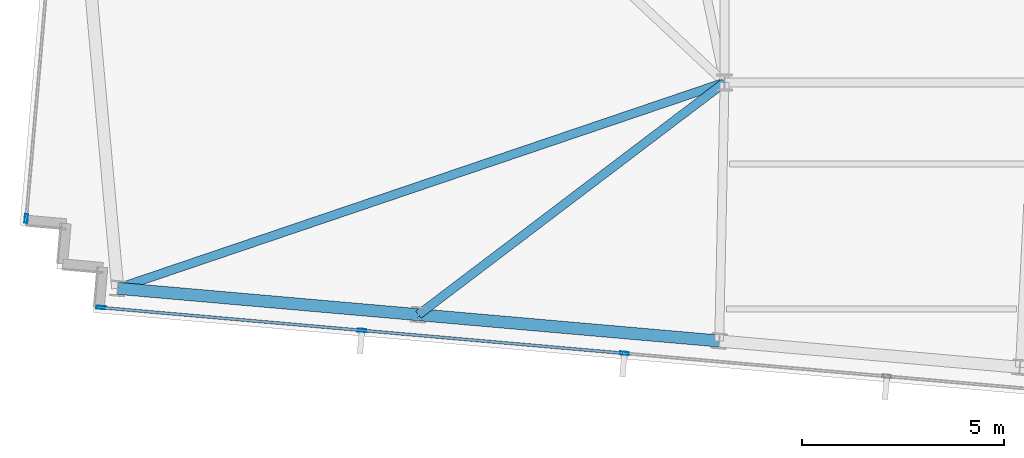
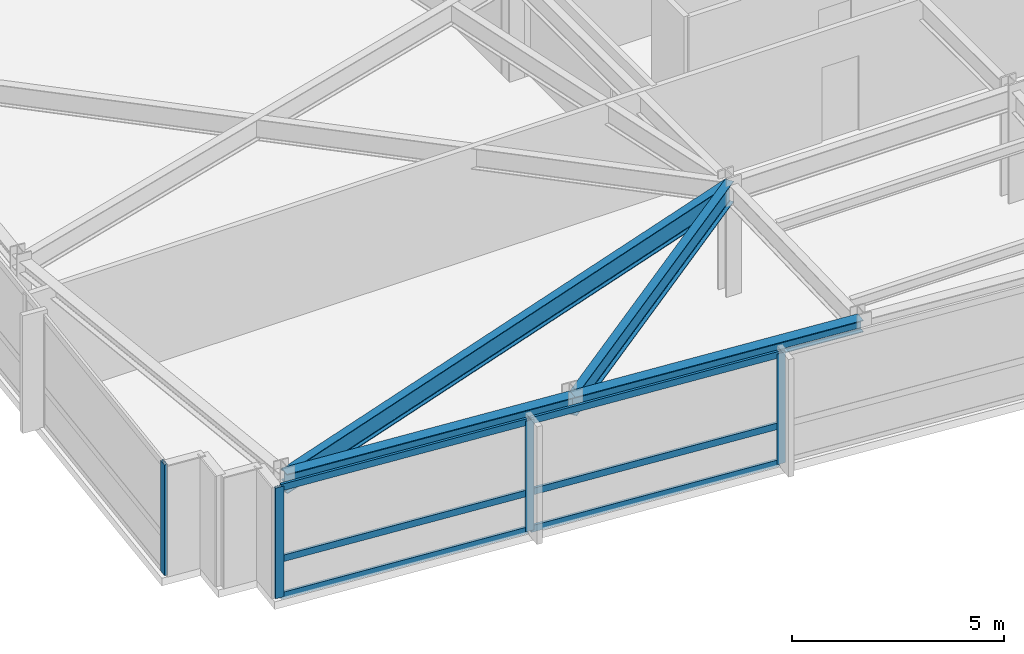
# One storey, part 2 of 24: 10 members, 4 beams, 2 elements without a shape of their own.
"""IFC4 building model written with IfcOpenShell, lengths in metres."""

import ifcopenshell
import ifcopenshell.guid

model = None  # the IFC model being written
_history = None  # IfcOwnerHistory: only IFC2X3 demands one
_inside = {}  # id of a spatial element -> (the spatial element, [elements in it])
_under = {}  # id of a project, library or spatial element -> (it, [spatial elements below it])
_declared = {}  # id of a project -> (the project, [libraries it declares])
_typed = {}  # id of a type object -> (the type object, [elements of that type])
_made_of = {}  # id of a material, layer set ... -> (it, [elements and type objects made of it])


def new_model(schema):
    """Start an empty IFC model of exactly this schema.

    Asked for "IFC4X3", IfcOpenShell would pick the latest addendum, in which some entities
    have other attributes; the version numbers below select the first issue.
    IFC2X3 requires an IfcOwnerHistory on every rooted entity: one is made here for all.
    """
    global model, _history
    if schema == "IFC4X3":
        model = ifcopenshell.file(schema_version=(4, 3, 0, 0))
    else:
        model = ifcopenshell.file(schema=schema)
    _inside.clear()
    _under.clear()
    _declared.clear()
    _typed.clear()
    _made_of.clear()
    _history = None
    if model.schema == "IFC2X3":
        org = make("IfcOrganization", Name="unknown")
        user = make(
            "IfcPersonAndOrganization",
            ThePerson=make("IfcPerson", FamilyName="unknown"),
            TheOrganization=org,
        )
        app = make(
            "IfcApplication",
            ApplicationDeveloper=org,
            Version="unknown",
            ApplicationFullName="unknown",
            ApplicationIdentifier="unknown",
        )
        _history = make(
            "IfcOwnerHistory",
            OwningUser=user,
            OwningApplication=app,
            ChangeAction="ADDED",
            CreationDate=0,
        )
    return model


def make(cls, **values):
    """One entity of the class cls with the attributes given. An attribute that is None is left unset."""
    return model.create_entity(
        cls, **{name: value for name, value in values.items() if value is not None}
    )


def rooted(cls, **values):
    """An entity with a GlobalId (a new one), such as an element, a storey or a relation."""
    return make(cls, GlobalId=ifcopenshell.guid.new(), OwnerHistory=_history, **values)


def si_unit(unit_type, name, prefix=None):
    """IfcSIUnit, for example si_unit("LENGTHUNIT", "METRE", prefix="MILLI")."""
    return make("IfcSIUnit", UnitType=unit_type, Prefix=prefix, Name=name)


def assignment(units):
    """IfcUnitAssignment: the units of a project."""
    return None if units is None else make("IfcUnitAssignment", Units=units)


def point(xyz):
    """IfcCartesianPoint."""
    return None if xyz is None else make("IfcCartesianPoint", Coordinates=xyz)


def direction(xyz):
    """IfcDirection."""
    return None if xyz is None else make("IfcDirection", DirectionRatios=xyz)


def frame(location, z_axis=None, x_axis=None):
    """IfcAxis2Placement3D, a coordinate frame: its origin and axes. An axis left out is left unset."""
    return make(
        "IfcAxis2Placement3D",
        Location=point(location),
        Axis=direction(z_axis),
        RefDirection=direction(x_axis),
    )


def frame_2d(location, x_axis=None):
    """IfcAxis2Placement2D, a coordinate frame in the plane: its origin and x axis."""
    return make(
        "IfcAxis2Placement2D", Location=point(location), RefDirection=direction(x_axis)
    )


def origin():
    """The frame at (0, 0, 0) with its axes left unset."""
    return frame((0.0, 0.0, 0.0))


def origin_2d():
    """The frame at (0, 0) in the plane with its x axis left unset."""
    return frame_2d((0.0, 0.0))


def place(relative_to, where):
    """IfcLocalPlacement: puts the frame where relative to a parent placement (None: the world)."""
    return make(
        "IfcLocalPlacement", PlacementRelTo=relative_to, RelativePlacement=where
    )


def context(
    kind, dimensions, precision=None, world=None, true_north=None, identifier=None
):
    """IfcGeometricRepresentationContext, for example the 3D "Model" context."""
    return make(
        "IfcGeometricRepresentationContext",
        ContextIdentifier=identifier,
        ContextType=kind,
        CoordinateSpaceDimension=dimensions,
        Precision=precision,
        WorldCoordinateSystem=world,
        TrueNorth=true_north,
    )


def subcontext(parent, identifier, kind, view, scale=None):
    """IfcGeometricRepresentationSubContext, for example "Body" below "Model"."""
    return make(
        "IfcGeometricRepresentationSubContext",
        ContextIdentifier=identifier,
        ContextType=kind,
        ParentContext=parent,
        TargetScale=scale,
        TargetView=view,
    )


def project(units=None, contexts=None):
    """IfcProject with its units and contexts."""
    return rooted(
        "IfcProject",
        Name="project",
        RepresentationContexts=contexts,
        UnitsInContext=assignment(units),
    )


def spatial(cls, under=None, at=None, **own):
    """A site, building, storey or space (cls), placed at a placement, below another one or the project."""
    s = rooted(cls, ObjectPlacement=at, **own)
    if under is not None:
        _under.setdefault(under.id(), (under, []))[1].append(s)
    return s


def profile(cls, at=None, kind="AREA", **sizes):
    """A parametric profile (cls). Its sizes go by their IFC names, for example OverallWidth=200.0."""
    return make(cls, ProfileType=kind, Position=at, **sizes)


def hollow_rectangle(**sizes):
    """IfcRectangleHollowProfileDef."""
    return profile("IfcRectangleHollowProfileDef", **sizes)


def i_section(**sizes):
    """IfcIShapeProfileDef."""
    return profile("IfcIShapeProfileDef", **sizes)


def extrude(swept, where, along, depth):
    """IfcExtrudedAreaSolid: the profile swept, set in the frame where, extruded along a direction by depth."""
    return make(
        "IfcExtrudedAreaSolid",
        SweptArea=swept,
        Position=where,
        ExtrudedDirection=direction(along),
        Depth=depth,
    )


def shape(context_of_items, identifier, shape_type, items):
    """IfcShapeRepresentation: the items that make up one representation, for example the "Body"."""
    return make(
        "IfcShapeRepresentation",
        ContextOfItems=context_of_items,
        RepresentationIdentifier=identifier,
        RepresentationType=shape_type,
        Items=items,
    )


def material(Name=None, Category=None):
    """IfcMaterial."""
    return make("IfcMaterial", Name=Name, Category=Category)


def material_profile(
    of_material, cross_section, Name=None, Category=None, Priority=None
):
    """IfcMaterialProfile: a cross section and its material."""
    return make(
        "IfcMaterialProfile",
        Name=Name,
        Material=of_material,
        Profile=cross_section,
        Priority=Priority,
        Category=Category,
    )


def profile_set(profiles, Name=None, composite=None):
    """IfcMaterialProfileSet."""
    return make(
        "IfcMaterialProfileSet",
        Name=Name,
        MaterialProfiles=profiles,
        CompositeProfile=composite,
    )


def made_of(thing, what):
    """Note that an element or type object is made of a material, layer set ...; save() writes the relation."""
    if what is not None:
        _made_of.setdefault(what.id(), (what, []))[1].append(thing)
    return thing


def type_object(cls, material=None, **own):
    """A type object (cls), such as IfcWallType, which elements share."""
    return made_of(rooted(cls, **own), material)


def element(
    cls,
    number,
    at=None,
    inside=None,
    cuts=None,
    type_object=None,
    material=None,
    context=None,
    identifier="Body",
    shape_type=None,
    held_by="IfcProductDefinitionShape",
    body=None,
    shapes=None,
    **own,
):
    """One element of the class cls, such as IfcWall. Its Tag is "e" and its number.

    at: its placement. inside: the storey or other place that contains it. cuts: it is an
    opening in that element (IfcRelVoidsElement). A single representation is given by context,
    identifier, shape_type and body (its items); several are given by shapes. held_by: the class
    of the entity that holds the representations. save() writes the other relations.
    """
    e = rooted(cls, Tag="e%d" % number, ObjectPlacement=at, **own)
    if body is not None:
        shapes = [shape(context, identifier, shape_type, body)]
    if shapes is not None:
        e.Representation = make(held_by, Representations=shapes)
    if inside is not None:
        _inside.setdefault(inside.id(), (inside, []))[1].append(e)
    if cuts is not None:
        rooted(
            "IfcRelVoidsElement", RelatingBuildingElement=cuts, RelatedOpeningElement=e
        )
    if type_object is not None:
        _typed.setdefault(type_object.id(), (type_object, []))[1].append(e)
    return made_of(e, material)


def aggregate(whole, parts):
    """IfcRelAggregates: a whole, such as a stair, and the parts it consists of."""
    return rooted("IfcRelAggregates", RelatingObject=whole, RelatedObjects=parts)


def save(model, path):
    """Write the relations noted so far, then the file.

    IfcRelAggregates (storeys below a building ...), IfcRelContainedInSpatialStructure (elements
    in a storey), IfcRelDefinesByType, IfcRelAssociatesMaterial and IfcRelDeclares: one each for
    every whole, place, type object, material and project.
    """
    for whole, parts in _under.values():
        aggregate(whole, parts)
    for where, things in _inside.values():
        rooted(
            "IfcRelContainedInSpatialStructure",
            RelatedElements=things,
            RelatingStructure=where,
        )
    for kind, things in _typed.values():
        rooted("IfcRelDefinesByType", RelatedObjects=things, RelatingType=kind)
    for what, things in _made_of.values():
        rooted("IfcRelAssociatesMaterial", RelatedObjects=things, RelatingMaterial=what)
    for by, libraries in _declared.values():
        rooted("IfcRelDeclares", RelatingContext=by, RelatedDefinitions=libraries)
    model.write(path)


model = new_model("IFC4")

# Units and contexts
model_context = context("Model", 3, precision=1e-05, world=origin(), true_north=direction((0.0, 1.0)))
body_context = subcontext(model_context, "Body", "Model", "MODEL_VIEW")
ifc_project = project(units=[si_unit("LENGTHUNIT", "METRE"), si_unit("AREAUNIT", "SQUARE_METRE"), si_unit("VOLUMEUNIT", "CUBIC_METRE"), si_unit("PLANEANGLEUNIT", "RADIAN"), si_unit("MASSUNIT", "GRAM", prefix="KILO")], contexts=[model_context])

# Site, building, storey
site_placement = place(None, origin())
site = spatial("IfcSite", under=ifc_project, at=site_placement, CompositionType="ELEMENT")
building_placement = place(site_placement, origin())
building = spatial("IfcBuilding", under=site, at=building_placement, Name="Yelkora Congress Tower", CompositionType="ELEMENT")
storey_placement = place(building_placement, frame((0.0, 0.0, 296.5)))
storey = spatial("IfcBuildingStorey", under=building, at=storey_placement, Name="L83", CompositionType="ELEMENT", Elevation=296.5)

# Beams
ifc_material_1 = material(Name="Steel S355J2", Category="steel")
ifc_material_profile_1 = material_profile(ifc_material_1, i_section(OverallWidth=0.219970703125, OverallDepth=0.60009765625, WebThickness=0.011962890625, FlangeThickness=0.01904296875, FilletRadius=0.02392578125, at=origin_2d()), Name="IPE 600")
ifc_profile_set_1 = profile_set([ifc_material_profile_1], Name="Steel S355J2")
beam_type_1 = type_object("IfcBeamType", Name="BM-GIRD-IPE600", PredefinedType="BEAM", material=ifc_profile_set_1)
beam_1_placement = place(storey_placement, frame((7.998046875, 20.097900390625, 2.8798828125), z_axis=(0.947007090502, 0.321212656257, 0.0), x_axis=(-0.321212656257, 0.947007090502, 0.0)))
element("IfcBeam", 1, at=beam_1_placement, inside=storey, type_object=beam_type_1, Name="L83 Primary Frame Girder S01", PredefinedType="BEAM", context=body_context, shape_type="SweptSolid", body=[
    extrude(i_section(OverallWidth=0.219970703125, OverallDepth=0.60009765625, WebThickness=0.011962890625, FlangeThickness=0.01904296875, FilletRadius=0.02392578125, at=origin_2d()), origin(), (0.0, 0.0, 1.0), 15.8837890625),
])
beam_2_placement = place(storey_placement, frame((15.452880859375, 19.445556640625, 2.8798828125), z_axis=(0.79676107913, 0.6042944504, 0.0), x_axis=(-0.6042944504, 0.79676107913, 0.0)))
element("IfcBeam", 2, at=beam_2_placement, inside=storey, type_object=beam_type_1, Name="L83 Primary Frame Girder S02", PredefinedType="BEAM", context=body_context, shape_type="SweptSolid", body=[
    extrude(i_section(OverallWidth=0.219970703125, OverallDepth=0.60009765625, WebThickness=0.011962890625, FlangeThickness=0.01904296875, FilletRadius=0.02392578125, at=origin_2d()), origin(), (0.0, 0.0, 1.0), 9.5224609375),
])
ifc_material_profile_2 = material_profile(ifc_material_1, i_section(OverallWidth=0.300048828125, OverallDepth=0.340087890625, WebThickness=0.011962890625, FlangeThickness=0.021484375, FilletRadius=0.027099609375, at=origin_2d()), Name="HEB 340")
ifc_profile_set_2 = profile_set([ifc_material_profile_2], Name="Steel S355J2")
beam_type_2 = type_object("IfcBeamType", Name="BM-SPAN-HEB340", PredefinedType="SPANDREL", material=ifc_profile_set_2)
for number, where, z_axis, x_axis, name in (
    (3, (7.998046875, 20.097900390625, 3.010009765625), (0.996193186297, -0.08717302092, 0.0), (0.08717302092, 0.996193186297, 0.0), "L83 Perimeter Beam 1"),
    (4, (15.452880859375, 19.445556640625, 3.010009765625), (0.996193186297, -0.08717302092, 0.0), (0.08717302092, 0.996193186297, 0.0), "L83 Perimeter Beam 2"),
):
    element("IfcBeam", number, at=place(storey_placement, frame(where, z_axis=z_axis, x_axis=x_axis)), inside=storey, type_object=beam_type_2, Name=name, PredefinedType="SPANDREL", context=body_context, shape_type="SweptSolid", body=[
        extrude(i_section(OverallWidth=0.300048828125, OverallDepth=0.340087890625, WebThickness=0.011962890625, FlangeThickness=0.021484375, FilletRadius=0.027099609375, at=origin_2d()), origin(), (0.0, 0.0, 1.0), 7.4833984375),
    ])

# Curtain wall, member
ifc_material_2 = material(Name="Anodised aluminium and insulated glass", Category="aluminium")
curtain_wall_type = type_object("IfcCurtainWallType", Name="CW-SYS-SKY", PredefinedType="NOTDEFINED", material=ifc_material_2)
curtain_wall_1_placement = place(storey_placement, origin())
curtain_wall_1 = element("IfcCurtainWall", 5, at=curtain_wall_1_placement, inside=storey, type_object=curtain_wall_type, Name="L83 Unitised Curtain Wall 5", PredefinedType="NOTDEFINED")
ifc_material_3 = material(Name="Anodised aluminium 6063-T6", Category="aluminium")
ifc_material_profile_3 = material_profile(ifc_material_3, hollow_rectangle(XDim=0.074951171875, YDim=0.219970703125, WallThickness=0.0048828125, at=origin_2d()), Name="ALU 75x220x5")
ifc_profile_set_3 = profile_set([ifc_material_profile_3], Name="Anodised aluminium 6063-T6")
member_type_1 = type_object("IfcMemberType", Name="MEM-ML-SKY", PredefinedType="MULLION", material=ifc_profile_set_3)
member_1_placement = place(storey_placement, frame((5.73046875, 21.82958984375, 0.0), z_axis=(0.0, 0.0, 1.0), x_axis=(-0.996194785929, 0.08715473876, 0.0)))
member_1 = element("IfcMember", 6, at=member_1_placement, type_object=member_type_1, Name="CW-SKY mullion 1", PredefinedType="MULLION", context=body_context, shape_type="SweptSolid", body=[
    extrude(hollow_rectangle(XDim=0.074951171875, YDim=0.219970703125, WallThickness=0.0048828125, at=origin_2d()), origin(), (0.0, 0.0, 1.0), 3.179931640625),
])
aggregate(curtain_wall_1, [member_1])

# Curtain wall, members
curtain_wall_2_placement = place(storey_placement, origin())
curtain_wall_2 = element("IfcCurtainWall", 7, at=curtain_wall_2_placement, inside=storey, type_object=curtain_wall_type, Name="L83 Unitised Curtain Wall 20", PredefinedType="NOTDEFINED")
member_2_placement = place(storey_placement, frame((20.558349609375, 18.487060546875, 0.0), z_axis=(0.0, 0.0, 1.0), x_axis=(-0.087156829793, -0.996194602987, 0.0)))
member_2 = element("IfcMember", 8, at=member_2_placement, type_object=member_type_1, Name="CW-SKY mullion 6", PredefinedType="MULLION", context=body_context, shape_type="SweptSolid", body=[
    extrude(hollow_rectangle(XDim=0.074951171875, YDim=0.219970703125, WallThickness=0.0048828125, at=origin_2d()), origin(), (0.0, 0.0, 1.0), 3.179931640625),
])
member_3_placement = place(storey_placement, frame((14.0517578125, 19.05615234375, 0.0), z_axis=(0.0, 0.0, 1.0), x_axis=(-0.087156829793, -0.996194602987, 0.0)))
member_3 = element("IfcMember", 9, at=member_3_placement, type_object=member_type_1, Name="CW-SKY mullion 7", PredefinedType="MULLION", context=body_context, shape_type="SweptSolid", body=[
    extrude(hollow_rectangle(XDim=0.074951171875, YDim=0.219970703125, WallThickness=0.0048828125, at=origin_2d()), origin(), (0.0, 0.0, 1.0), 3.179931640625),
])
member_4_placement = place(storey_placement, frame((7.58251953125, 19.622314453125, 0.0), z_axis=(0.0, 0.0, 1.0), x_axis=(-0.087156829793, -0.996194602987, 0.0)))
member_4 = element("IfcMember", 10, at=member_4_placement, type_object=member_type_1, Name="CW-SKY mullion 8", PredefinedType="MULLION", context=body_context, shape_type="SweptSolid", body=[
    extrude(hollow_rectangle(XDim=0.074951171875, YDim=0.219970703125, WallThickness=0.0048828125, at=origin_2d()), origin(), (0.0, 0.0, 1.0), 3.179931640625),
])
ifc_material_profile_4 = material_profile(ifc_material_3, hollow_rectangle(XDim=0.070068359375, YDim=0.18994140625, WallThickness=0.00390625, at=origin_2d()), Name="ALU 70x190x4")
ifc_profile_set_4 = profile_set([ifc_material_profile_4], Name="Anodised aluminium 6063-T6")
member_type_2 = type_object("IfcMemberType", Name="MEM-TR-SKY", PredefinedType="USERDEFINED", material=ifc_profile_set_4)
member_5_placement = place(storey_placement, frame((20.52099609375, 18.490234375, 0.034912109375), z_axis=(-0.996194333134, 0.087159914135, 0.0), x_axis=(-0.087159914135, -0.996194333134, 0.0)))
member_5 = element("IfcMember", 11, at=member_5_placement, type_object=member_type_2, Name="CW-SKY transom 6.1", ObjectType="TRANSOM", PredefinedType="USERDEFINED", context=body_context, shape_type="SweptSolid", body=[
    extrude(hollow_rectangle(XDim=0.070068359375, YDim=0.18994140625, WallThickness=0.00390625, at=origin_2d()), origin(), (0.0, 0.0, 1.0), 6.45654296875),
])
member_6_placement = place(storey_placement, frame((20.52099609375, 18.490234375, 1.10009765625), z_axis=(-0.996194333134, 0.087159914135, 0.0), x_axis=(-0.087159914135, -0.996194333134, 0.0)))
member_6 = element("IfcMember", 12, at=member_6_placement, type_object=member_type_2, Name="CW-SKY transom 6.2", ObjectType="TRANSOM", PredefinedType="USERDEFINED", context=body_context, shape_type="SweptSolid", body=[
    extrude(hollow_rectangle(XDim=0.070068359375, YDim=0.18994140625, WallThickness=0.00390625, at=origin_2d()), origin(), (0.0, 0.0, 1.0), 6.45654296875),
])
member_7_placement = place(storey_placement, frame((20.52099609375, 18.490234375, 3.14501953125), z_axis=(-0.996194333134, 0.087159914135, 0.0), x_axis=(-0.087159914135, -0.996194333134, 0.0)))
member_7 = element("IfcMember", 13, at=member_7_placement, type_object=member_type_2, Name="CW-SKY transom 6.3", ObjectType="TRANSOM", PredefinedType="USERDEFINED", context=body_context, shape_type="SweptSolid", body=[
    extrude(hollow_rectangle(XDim=0.070068359375, YDim=0.18994140625, WallThickness=0.00390625, at=origin_2d()), origin(), (0.0, 0.0, 1.0), 6.45654296875),
])
member_8_placement = place(storey_placement, frame((14.014404296875, 19.0595703125, 0.034912109375), z_axis=(-0.996196359216, 0.087136753931, 0.0), x_axis=(-0.087136753931, -0.996196359216, 0.0)))
member_8 = element("IfcMember", 14, at=member_8_placement, type_object=member_type_2, Name="CW-SKY transom 7.1", ObjectType="TRANSOM", PredefinedType="USERDEFINED", context=body_context, shape_type="SweptSolid", body=[
    extrude(hollow_rectangle(XDim=0.070068359375, YDim=0.18994140625, WallThickness=0.00390625, at=origin_2d()), origin(), (0.0, 0.0, 1.0), 6.4189453125),
])
member_9_placement = place(storey_placement, frame((14.014404296875, 19.0595703125, 1.10009765625), z_axis=(-0.996196359216, 0.087136753931, 0.0), x_axis=(-0.087136753931, -0.996196359216, 0.0)))
member_9 = element("IfcMember", 15, at=member_9_placement, type_object=member_type_2, Name="CW-SKY transom 7.2", ObjectType="TRANSOM", PredefinedType="USERDEFINED", context=body_context, shape_type="SweptSolid", body=[
    extrude(hollow_rectangle(XDim=0.070068359375, YDim=0.18994140625, WallThickness=0.00390625, at=origin_2d()), origin(), (0.0, 0.0, 1.0), 6.4189453125),
])
member_10_placement = place(storey_placement, frame((14.014404296875, 19.0595703125, 3.14501953125), z_axis=(-0.996196359216, 0.087136753931, 0.0), x_axis=(-0.087136753931, -0.996196359216, 0.0)))
member_10 = element("IfcMember", 16, at=member_10_placement, type_object=member_type_2, Name="CW-SKY transom 7.3", ObjectType="TRANSOM", PredefinedType="USERDEFINED", context=body_context, shape_type="SweptSolid", body=[
    extrude(hollow_rectangle(XDim=0.070068359375, YDim=0.18994140625, WallThickness=0.00390625, at=origin_2d()), origin(), (0.0, 0.0, 1.0), 6.4189453125),
])
aggregate(curtain_wall_2, [member_2, member_3, member_4, member_5, member_6, member_7, member_8, member_9, member_10])

save(model, "model.ifc")
